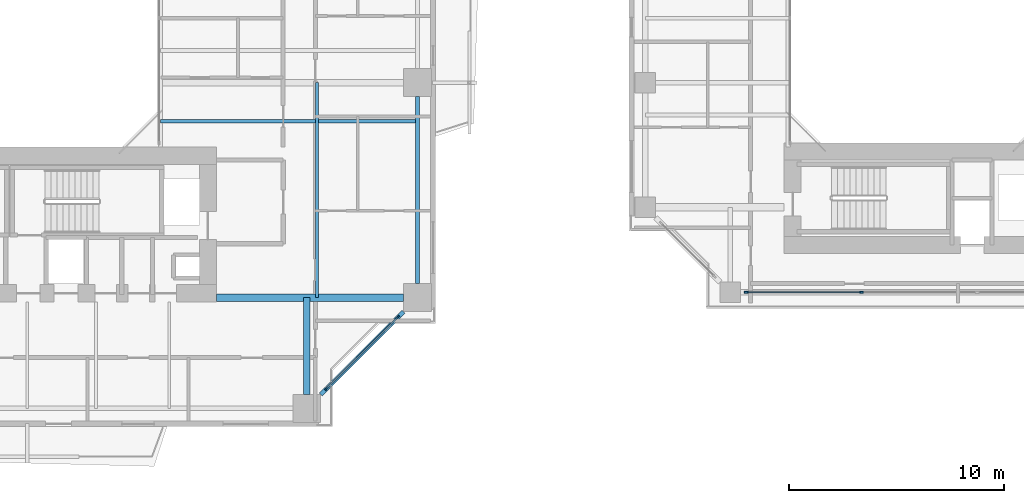
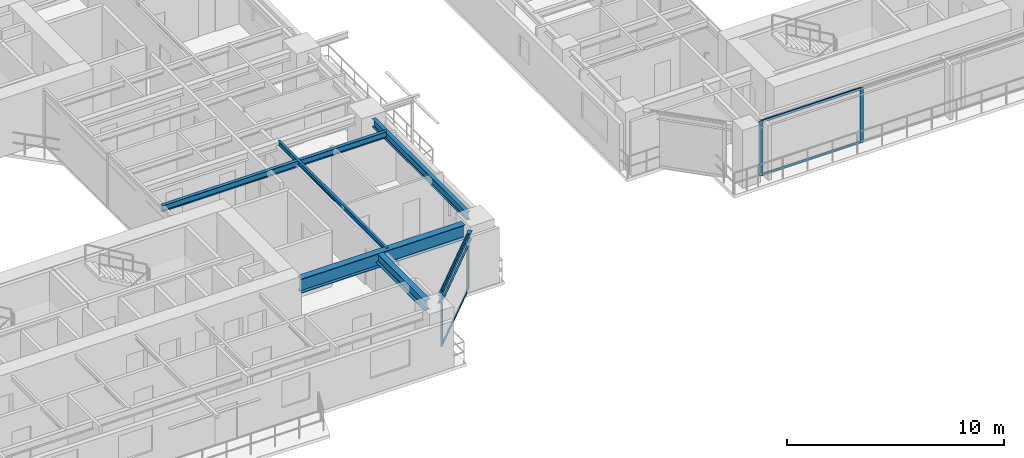
# One storey, part 5 of 24: 8 members, 6 beams, 2 elements without a shape of their own.
"""IFC4 building model written with IfcOpenShell, lengths in metres."""

from ifc_helpers import new_model, si_unit, direction, frame, origin, origin_2d, place, context, subcontext, project, spatial, rectangle, i_section, extrude, source, transform, mapped, material, layer, layer_set, material_profile, profile_set, type_object, element, aggregate, save


model = new_model("IFC4")

# Units and contexts
model_context = context("Model", 3, precision=1e-05, world=origin(), true_north=direction((0.0, 1.0)))
body_context = subcontext(model_context, "Body", "Model", "MODEL_VIEW")
ifc_project = project(units=[si_unit("LENGTHUNIT", "METRE"), si_unit("AREAUNIT", "SQUARE_METRE"), si_unit("VOLUMEUNIT", "CUBIC_METRE"), si_unit("PLANEANGLEUNIT", "RADIAN"), si_unit("MASSUNIT", "GRAM", prefix="KILO"), si_unit("THERMODYNAMICTEMPERATUREUNIT", "KELVIN"), si_unit("POWERUNIT", "WATT")], contexts=[model_context])

# Site, building, storey
site_placement = place(None, origin())
site = spatial("IfcSite", under=ifc_project, at=site_placement, CompositionType="ELEMENT")
building_placement = place(site_placement, origin())
building = spatial("IfcBuilding", under=site, at=building_placement, Name="Qiaomeng Ring Towers", CompositionType="ELEMENT")
storey_placement = place(building_placement, frame((0.0, 0.0, 56.75)))
storey = spatial("IfcBuildingStorey", under=building, at=storey_placement, Name="L15", CompositionType="ELEMENT", Elevation=56.75)

# Beams
ifc_material_1 = material(Name="Steel Q355B", Category="steel")
ifc_material_profile_1 = material_profile(ifc_material_1, i_section(OverallWidth=0.199951171875, OverallDepth=0.449951171875, WebThickness=0.009033203125, FlangeThickness=0.013916015625, FilletRadius=0.01806640625, at=origin_2d()), Name="HN 450x200x9x14")
ifc_profile_set_1 = profile_set([ifc_material_profile_1], Name="Steel Q355B")
beam_type_1 = type_object("IfcBeamType", Name="STR-BM-HN450", PredefinedType="SPANDREL", material=ifc_profile_set_1)
shared_shape_1 = source(origin(), body_context, "Body", "SweptSolid", [
    extrude(i_section(OverallWidth=0.199951171875, OverallDepth=0.449951171875, WebThickness=0.009033203125, FlangeThickness=0.013916015625, FilletRadius=0.01806640625, at=origin_2d()), origin(), (0.0, 0.0, 1.0), 5.446533203125),
])
beam_1_placement = place(storey_placement, frame((32.6494140625, 5.499267578125, 2.844970703125), z_axis=(0.707106781187, 0.707106781187, 0.0), x_axis=(-0.707106781187, 0.707106781187, 0.0)))
element("IfcBeam", 1, at=beam_1_placement, inside=storey, type_object=beam_type_1, Name="L15 beam STR-SP-L15-T1-S2-E1", PredefinedType="SPANDREL", context=body_context, shape_type="MappedRepresentation", body=[
    mapped(shared_shape_1, transform((0.0, 0.0, 0.0), x_axis=(1.0, 0.0, 0.0), y_axis=(0.0, 1.0, 0.0), z_axis=(0.0, 0.0, 1.0), scale=1.0)),
])
shared_shape_2 = source(origin(), body_context, "Body", "SweptSolid", [
    extrude(i_section(OverallWidth=0.199951171875, OverallDepth=0.449951171875, WebThickness=0.009033203125, FlangeThickness=0.013916015625, FilletRadius=0.01806640625, at=origin_2d()), origin(), (0.0, 0.0, 1.0), 8.7021484375),
])
beam_2_placement = place(storey_placement, frame((37.14990234375, 10.64892578125, 2.844970703125), z_axis=(0.0, 1.0, 0.0), x_axis=(-1.0, 0.0, 0.0)))
element("IfcBeam", 2, at=beam_2_placement, inside=storey, type_object=beam_type_1, Name="L15 beam STR-SP-L15-T1-E1-E2", PredefinedType="SPANDREL", context=body_context, shape_type="MappedRepresentation", body=[
    mapped(shared_shape_2, transform((0.0, 0.0, 0.0), x_axis=(1.0, 0.0, 0.0), y_axis=(0.0, 1.0, 0.0), z_axis=(0.0, 0.0, 1.0), scale=1.0)),
])
ifc_material_2 = material(Name="Steel Q390GJC", Category="steel")
ifc_material_profile_2 = material_profile(ifc_material_2, i_section(OverallWidth=0.35009765625, OverallDepth=0.800048828125, WebThickness=0.01611328125, FlangeThickness=0.028076171875, at=origin_2d()), Name="WH 800x350x16x28")
ifc_profile_set_2 = profile_set([ifc_material_profile_2], Name="Steel Q390GJC")
beam_type_2 = type_object("IfcBeamType", Name="STR-BM-WH800", PredefinedType="BEAM", material=ifc_profile_set_2)
shared_shape_3 = source(origin(), body_context, "Body", "SweptSolid", [
    extrude(i_section(OverallWidth=0.35009765625, OverallDepth=0.800048828125, WebThickness=0.01611328125, FlangeThickness=0.028076171875, at=origin_2d()), origin(), (0.0, 0.0, 1.0), 8.700927734375),
])
beam_3_placement = place(storey_placement, frame((27.800048828125, 10.0, 2.669921875), z_axis=(1.0, 0.0, 0.0), x_axis=(0.0, 1.0, 0.0)))
element("IfcBeam", 3, at=beam_3_placement, inside=storey, type_object=beam_type_2, Name="L15 beam STR-BM-L15-T1-RAD-E1", PredefinedType="BEAM", context=body_context, shape_type="MappedRepresentation", body=[
    mapped(shared_shape_3, transform((0.0, 0.0, 0.0), x_axis=(1.0, 0.0, 0.0), y_axis=(0.0, 1.0, 0.0), z_axis=(0.0, 0.0, 1.0), scale=1.0)),
])
ifc_material_profile_3 = material_profile(ifc_material_1, i_section(OverallWidth=0.300048828125, OverallDepth=0.587890625, WebThickness=0.011962890625, FlangeThickness=0.02001953125, FilletRadius=0.028076171875, at=origin_2d()), Name="HM 588x300x12x20")
ifc_profile_set_3 = profile_set([ifc_material_profile_3], Name="Steel Q355B")
beam_type_3 = type_object("IfcBeamType", Name="STR-BM-HM588", PredefinedType="BEAM", material=ifc_profile_set_3)
shared_shape_4 = source(origin(), body_context, "Body", "SweptSolid", [
    extrude(i_section(OverallWidth=0.300048828125, OverallDepth=0.587890625, WebThickness=0.011962890625, FlangeThickness=0.02001953125, FilletRadius=0.028076171875, at=origin_2d()), origin(), (0.0, 0.0, 1.0), 4.5009765625),
])
beam_4_placement = place(storey_placement, frame((32.0, 5.4990234375, 2.77587890625), z_axis=(0.0, 1.0, 0.0), x_axis=(-1.0, 0.0, 0.0)))
element("IfcBeam", 4, at=beam_4_placement, inside=storey, type_object=beam_type_3, Name="L15 beam STR-BM-L15-T1-RAD-S2", PredefinedType="BEAM", context=body_context, shape_type="MappedRepresentation", body=[
    mapped(shared_shape_4, transform((0.0, 0.0, 0.0), x_axis=(1.0, 0.0, 0.0), y_axis=(0.0, 1.0, 0.0), z_axis=(0.0, 0.0, 1.0), scale=1.0)),
])
ifc_material_profile_4 = material_profile(ifc_material_1, i_section(OverallWidth=0.175048828125, OverallDepth=0.35009765625, WebThickness=0.007080078125, FlangeThickness=0.010986328125, FilletRadius=0.013916015625, at=origin_2d()), Name="HN 350x175x7x11")
ifc_profile_set_4 = profile_set([ifc_material_profile_4], Name="Steel Q355B")
beam_type_4 = type_object("IfcBeamType", Name="STR-BM-HN350", PredefinedType="JOIST", material=ifc_profile_set_4)
shared_shape_5 = source(origin(), body_context, "Body", "SweptSolid", [
    extrude(i_section(OverallWidth=0.175048828125, OverallDepth=0.35009765625, WebThickness=0.007080078125, FlangeThickness=0.010986328125, FilletRadius=0.013916015625, at=origin_2d()), origin(), (0.0, 0.0, 1.0), 11.949951171875),
])
beam_5_placement = place(storey_placement, frame((25.199951171875, 18.199951171875, 2.89501953125), z_axis=(1.0, 0.0, 0.0), x_axis=(0.0, 1.0, 0.0)))
element("IfcBeam", 5, at=beam_5_placement, inside=storey, type_object=beam_type_4, Name="L15 beam STR-JST-L15-T1E-1", PredefinedType="JOIST", context=body_context, shape_type="MappedRepresentation", body=[
    mapped(shared_shape_5, transform((0.0, 0.0, 0.0), x_axis=(1.0, 0.0, 0.0), y_axis=(0.0, 1.0, 0.0), z_axis=(0.0, 0.0, 1.0), scale=1.0)),
])
ifc_material_profile_5 = material_profile(ifc_material_1, i_section(OverallWidth=0.125, OverallDepth=0.25, WebThickness=0.006103515625, FlangeThickness=0.009033203125, FilletRadius=0.011962890625, at=origin_2d()), Name="HN 250x125x6x9")
ifc_profile_set_5 = profile_set([ifc_material_profile_5], Name="Steel Q355B")
beam_type_5 = type_object("IfcBeamType", Name="STR-BM-HN250", PredefinedType="JOIST", material=ifc_profile_set_5)
shared_shape_6 = source(origin(), body_context, "Body", "SweptSolid", [
    extrude(i_section(OverallWidth=0.125, OverallDepth=0.25, WebThickness=0.006103515625, FlangeThickness=0.009033203125, FilletRadius=0.011962890625, at=origin_2d()), origin(), (0.0, 0.0, 1.0), 10.0),
])
beam_6_placement = place(storey_placement, frame((32.47509765625, 10.0, 2.945068359375), z_axis=(0.0, 1.0, 0.0), x_axis=(-1.0, 0.0, 0.0)))
element("IfcBeam", 6, at=beam_6_placement, inside=storey, type_object=beam_type_5, Name="L15 beam STR-JST-L15-T1C-ES", PredefinedType="JOIST", context=body_context, shape_type="MappedRepresentation", body=[
    mapped(shared_shape_6, transform((0.0, 0.0, 0.0), x_axis=(1.0, 0.0, 0.0), y_axis=(0.0, 1.0, 0.0), z_axis=(0.0, 0.0, 1.0), scale=1.0)),
])

# Curtain wall, members
ifc_material_3 = material(Name="Fluorocarbon dark-grey aluminium", Category="aluminium")
ifc_layer_1 = layer(ifc_material_3, 0.159912109375, Name="Fluorocarbon dark-grey aluminium")
ifc_layer_set_1 = layer_set([ifc_layer_1], Name="Fluorocarbon dark-grey aluminium")
curtain_wall_type_1 = type_object("IfcCurtainWallType", Name="ARC-CW-2", PredefinedType="NOTDEFINED", material=ifc_layer_set_1)
curtain_wall_1_placement = place(storey_placement, origin())
curtain_wall_1 = element("IfcCurtainWall", 7, at=curtain_wall_1_placement, inside=storey, type_object=curtain_wall_type_1, Name="L15 Curtain Wall CW2", PredefinedType="NOTDEFINED")
ifc_material_profile_6 = material_profile(ifc_material_3, rectangle(XDim=0.070068359375, YDim=0.179931640625, at=origin_2d()), Name="ALU MULL 70x180")
ifc_profile_set_6 = profile_set([ifc_material_profile_6], Name="Fluorocarbon dark-grey aluminium")
member_type_1 = type_object("IfcMemberType", Name="ARC-CWM-160", PredefinedType="MULLION", material=ifc_profile_set_6)
shared_shape_7 = source(origin(), body_context, "Body", "SweptSolid", [
    extrude(rectangle(XDim=0.070068359375, YDim=0.179931640625, at=origin_2d()), origin(), (0.0, 0.0, 1.0), 3.070068359375),
])
member_1_placement = place(storey_placement, frame((32.914794921875, 5.7646484375, 0.0), z_axis=(0.0, 0.0, 1.0), x_axis=(-0.707106781187, 0.707106781187, 0.0)))
member_1 = element("IfcMember", 8, at=member_1_placement, type_object=member_type_1, Name="CW2 mullion 1", PredefinedType="MULLION", context=body_context, shape_type="MappedRepresentation", body=[
    mapped(shared_shape_7, transform((0.0, 0.0, 0.0), x_axis=(1.0, 0.0, 0.0), y_axis=(0.0, 1.0, 0.0), z_axis=(0.0, 0.0, 1.0), scale=1.0)),
])
member_2_placement = place(storey_placement, frame((36.2353515625, 9.085205078125, 0.0), z_axis=(0.0, 0.0, 1.0), x_axis=(-0.707106781187, 0.707106781187, 0.0)))
member_2 = element("IfcMember", 9, at=member_2_placement, type_object=member_type_1, Name="CW2 mullion 2", PredefinedType="MULLION", context=body_context, shape_type="MappedRepresentation", body=[
    mapped(shared_shape_7, transform((0.0, 0.0, 0.0), x_axis=(1.0, 0.0, 0.0), y_axis=(0.0, 1.0, 0.0), z_axis=(0.0, 0.0, 1.0), scale=1.0)),
])

ifc_layer_2 = layer(ifc_material_3, 0.14990234375, Name="Fluorocarbon dark-grey aluminium")
ifc_layer_set_2 = layer_set([ifc_layer_2], Name="Fluorocarbon dark-grey aluminium")
curtain_wall_type_2 = type_object("IfcCurtainWallType", Name="ARC-CW-5", PredefinedType="NOTDEFINED", material=ifc_layer_set_2)
curtain_wall_2_placement = place(storey_placement, origin())
curtain_wall_2 = element("IfcCurtainWall", 10, at=curtain_wall_2_placement, inside=storey, type_object=curtain_wall_type_2, Name="L15 Curtain Wall CW5", PredefinedType="NOTDEFINED")
member_3_placement = place(storey_placement, frame((52.449951171875, 10.25, 0.0), z_axis=(0.0, 0.0, 1.0), x_axis=(0.0, 1.0, 0.0)))
member_3 = element("IfcMember", 11, at=member_3_placement, type_object=member_type_1, Name="CW5 mullion 1", PredefinedType="MULLION", context=body_context, shape_type="MappedRepresentation", body=[
    mapped(shared_shape_7, transform((0.0, 0.0, 0.0), x_axis=(1.0, 0.0, 0.0), y_axis=(0.0, 1.0, 0.0), z_axis=(0.0, 0.0, 1.0), scale=1.0)),
])
member_4_placement = place(storey_placement, frame((57.804931640625, 10.25, 0.0), z_axis=(0.0, 0.0, 1.0), x_axis=(0.0, 1.0, 0.0)))
member_4 = element("IfcMember", 12, at=member_4_placement, type_object=member_type_1, Name="CW5 mullion 2", PredefinedType="MULLION", context=body_context, shape_type="MappedRepresentation", body=[
    mapped(shared_shape_7, transform((0.0, 0.0, 0.0), x_axis=(1.0, 0.0, 0.0), y_axis=(0.0, 1.0, 0.0), z_axis=(0.0, 0.0, 1.0), scale=1.0)),
])

# Member
ifc_material_profile_7 = material_profile(ifc_material_3, rectangle(XDim=0.06494140625, YDim=0.1298828125, at=origin_2d()), Name="ALU TRAN 65x130")
ifc_profile_set_7 = profile_set([ifc_material_profile_7], Name="Fluorocarbon dark-grey aluminium")
member_type_2 = type_object("IfcMemberType", Name="ARC-CWT-120", PredefinedType="USERDEFINED", material=ifc_profile_set_7)
shared_shape_8 = source(origin(), body_context, "Body", "SweptSolid", [
    extrude(rectangle(XDim=0.06494140625, YDim=0.1298828125, at=origin_2d()), origin(), (0.0, 0.0, 1.0), 4.6259765625),
])
member_5_placement = place(storey_placement, frame((32.939453125, 5.78955078125, 0.032470703125), z_axis=(0.707106781187, 0.707106781187, 0.0), x_axis=(-0.707106781187, 0.707106781187, 0.0)))
member_5 = element("IfcMember", 13, at=member_5_placement, type_object=member_type_2, Name="CW2 transom 1.1", ObjectType="TRANSOM", PredefinedType="USERDEFINED", context=body_context, shape_type="MappedRepresentation", body=[
    mapped(shared_shape_8, transform((0.0, 0.0, 0.0), x_axis=(1.0, 0.0, 0.0), y_axis=(0.0, 1.0, 0.0), z_axis=(0.0, 0.0, 1.0), scale=1.0)),
])

member_6_placement = place(storey_placement, frame((32.939453125, 5.78955078125, 3.03759765625), z_axis=(0.707106781187, 0.707106781187, 0.0), x_axis=(-0.707106781187, 0.707106781187, 0.0)))
member_6 = element("IfcMember", 14, at=member_6_placement, type_object=member_type_2, Name="CW2 transom 1.2", ObjectType="TRANSOM", PredefinedType="USERDEFINED", context=body_context, shape_type="MappedRepresentation", body=[
    mapped(shared_shape_8, transform((0.0, 0.0, 0.0), x_axis=(1.0, 0.0, 0.0), y_axis=(0.0, 1.0, 0.0), z_axis=(0.0, 0.0, 1.0), scale=1.0)),
])

aggregate(curtain_wall_1, [member_1, member_2, member_5, member_6])

shared_shape_9 = source(origin(), body_context, "Body", "SweptSolid", [
    extrude(rectangle(XDim=0.06494140625, YDim=0.1298828125, at=origin_2d()), origin(), (0.0, 0.0, 1.0), 5.284912109375),
])
member_7_placement = place(storey_placement, frame((52.485107421875, 10.25, 0.032470703125), z_axis=(1.0, 0.0, 0.0), x_axis=(0.0, 1.0, 0.0)))
member_7 = element("IfcMember", 15, at=member_7_placement, type_object=member_type_2, Name="CW5 transom 1.1", ObjectType="TRANSOM", PredefinedType="USERDEFINED", context=body_context, shape_type="MappedRepresentation", body=[
    mapped(shared_shape_9, transform((0.0, 0.0, 0.0), x_axis=(1.0, 0.0, 0.0), y_axis=(0.0, 1.0, 0.0), z_axis=(0.0, 0.0, 1.0), scale=1.0)),
])

member_8_placement = place(storey_placement, frame((52.485107421875, 10.25, 3.03759765625), z_axis=(1.0, 0.0, 0.0), x_axis=(0.0, 1.0, 0.0)))
member_8 = element("IfcMember", 16, at=member_8_placement, type_object=member_type_2, Name="CW5 transom 1.2", ObjectType="TRANSOM", PredefinedType="USERDEFINED", context=body_context, shape_type="MappedRepresentation", body=[
    mapped(shared_shape_9, transform((0.0, 0.0, 0.0), x_axis=(1.0, 0.0, 0.0), y_axis=(0.0, 1.0, 0.0), z_axis=(0.0, 0.0, 1.0), scale=1.0)),
])

aggregate(curtain_wall_2, [member_3, member_4, member_7, member_8])

save(model, "model.ifc")
